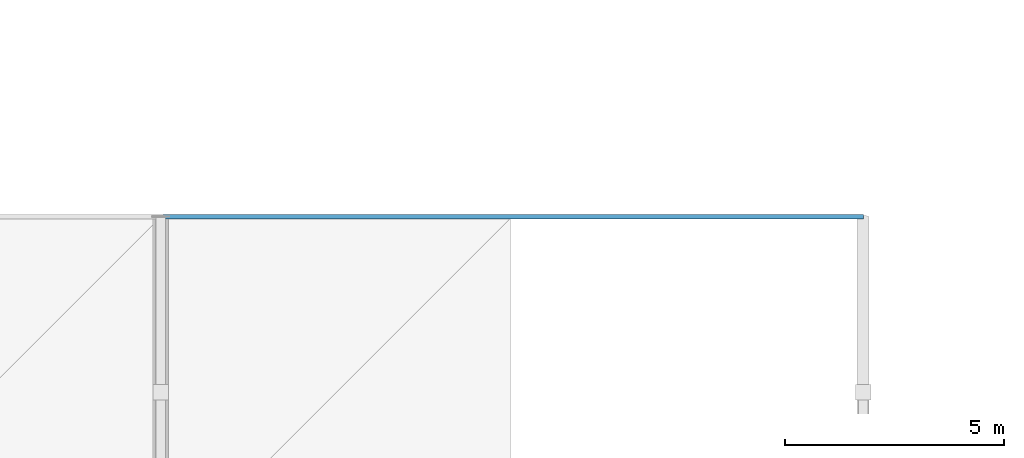
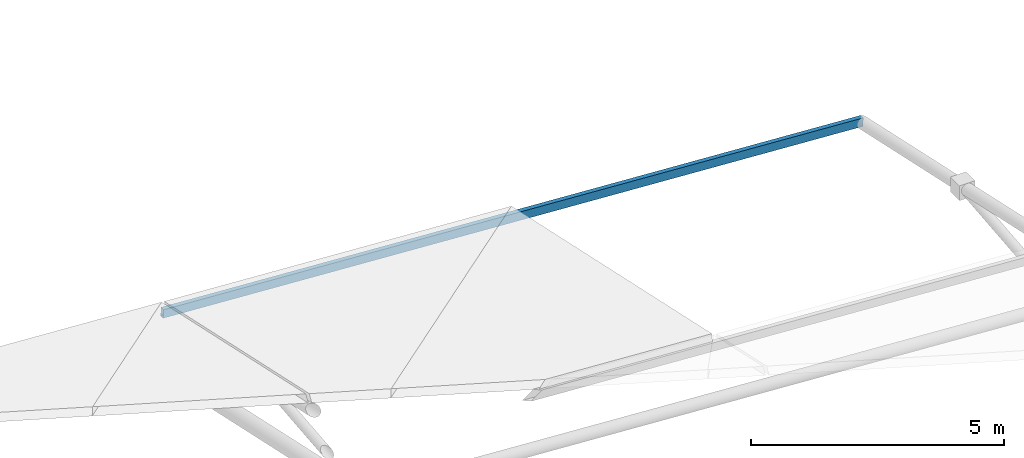
# One storey, part 34 of 67: 1 member.
"""IFC4 building model written with IfcOpenShell, lengths in metres."""

from ifc_helpers import new_model, si_unit, direction, frame, origin, origin_2d, place, context, subcontext, project, spatial, hollow_rectangle, extrude, material, material_profile, profile_set, type_object, element, save


model = new_model("IFC4")

# Units and contexts
model_context = context("Model", 3, precision=1e-05, world=origin(), true_north=direction((0.0, 1.0)))
body_context = subcontext(model_context, "Body", "Model", "MODEL_VIEW")
ifc_project = project(units=[si_unit("LENGTHUNIT", "METRE"), si_unit("AREAUNIT", "SQUARE_METRE"), si_unit("VOLUMEUNIT", "CUBIC_METRE"), si_unit("PLANEANGLEUNIT", "RADIAN"), si_unit("MASSUNIT", "GRAM", prefix="KILO")], contexts=[model_context])

# Site, building, storey
site_placement = place(None, origin())
site = spatial("IfcSite", under=ifc_project, at=site_placement, CompositionType="ELEMENT")
building_placement = place(site_placement, origin())
building = spatial("IfcBuilding", under=site, at=building_placement, Name="Drelvath Fold Interchange", CompositionType="ELEMENT")
storey_placement = place(building_placement, frame((0.0, 0.0, 15.60009765625)))
storey = spatial("IfcBuildingStorey", under=building, at=storey_placement, Name="L03", CompositionType="ELEMENT", Elevation=15.60009765625)

# Member
ifc_material = material(Name="Steel ASTM A500 Grade C", Category="steel")
ifc_material_profile = material_profile(ifc_material, hollow_rectangle(XDim=0.10205078125, YDim=0.202880859375, WallThickness=0.00732421875, at=origin_2d()), Name="HSS8X4X5/16")
ifc_profile_set = profile_set([ifc_material_profile], Name="Steel ASTM A500 Grade C")
member_type = type_object("IfcMemberType", Name="PR-HSS203", PredefinedType="PURLIN", material=ifc_profile_set)
member_placement = place(storey_placement, frame((150.0, 67.0, 0.513916015625), z_axis=(0.998197699277, 0.0, -0.060011275256), x_axis=(0.0, 1.0, 0.0)))
element("IfcMember", 1, at=member_placement, inside=storey, type_object=member_type, Name="L03 Space frame canopy purlin PR-HSS203", PredefinedType="PURLIN", context=body_context, shape_type="SweptSolid", body=[
    extrude(hollow_rectangle(XDim=0.10205078125, YDim=0.202880859375, WallThickness=0.00732421875, at=origin_2d()), origin(), (0.0, 0.0, 1.0), 16.02880859375),
])

save(model, "model.ifc")
